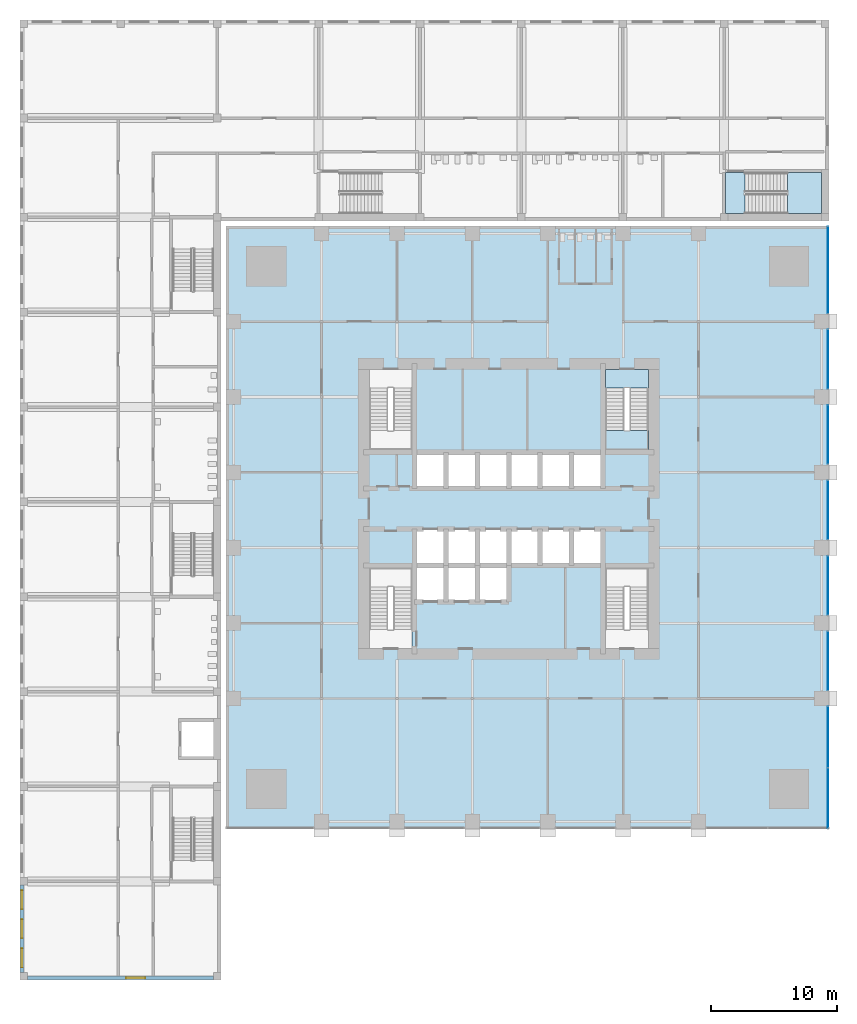
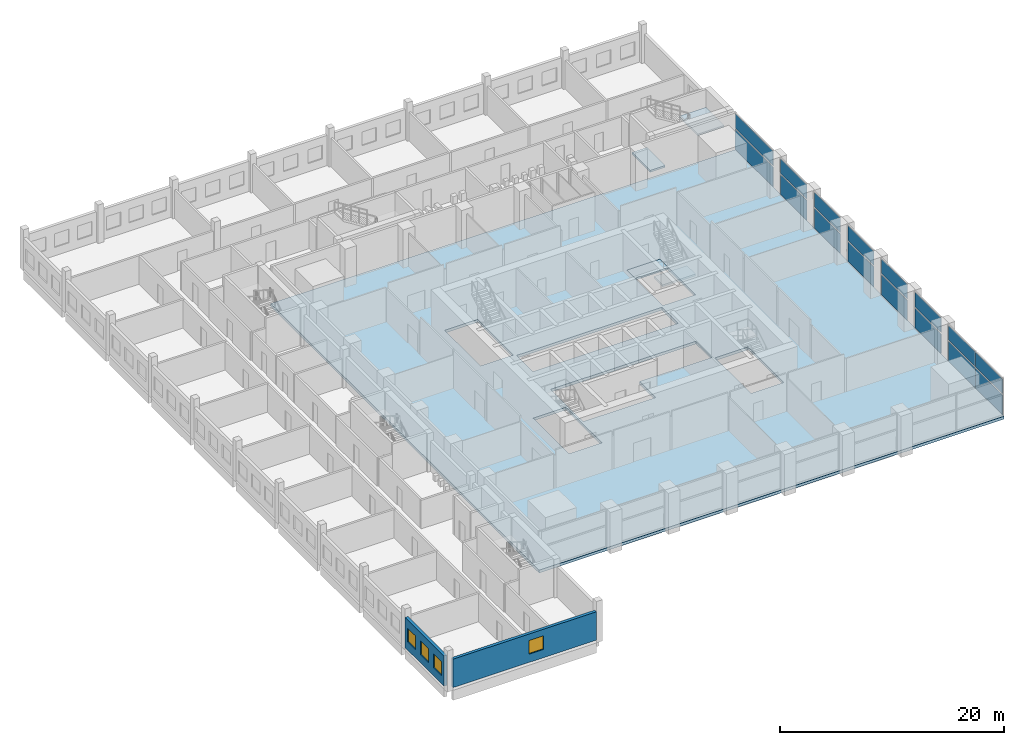
# One storey, part 9 of 25: 16 plates, 5 slabs, 4 windows, 2 walls, 4 openings, 9 elements without a shape of their own.
"""IFC4 building model written with IfcOpenShell, lengths in metres."""

from ifc_helpers import new_model, si_unit, direction, frame, frame_2d, origin, origin_2d, place, context, subcontext, project, spatial, polyline, rectangle, outline, extrude, material, layer, layer_set, type_object, element, fill, aggregate, save


model = new_model("IFC4")

# Units and contexts
model_context = context("Model", 3, precision=1e-05, world=origin(), true_north=direction((0.0, 1.0)))
body_context = subcontext(model_context, "Body", "Model", "MODEL_VIEW")
ifc_project = project(units=[si_unit("LENGTHUNIT", "METRE"), si_unit("AREAUNIT", "SQUARE_METRE"), si_unit("VOLUMEUNIT", "CUBIC_METRE"), si_unit("PLANEANGLEUNIT", "RADIAN"), si_unit("MASSUNIT", "GRAM", prefix="KILO")], contexts=[model_context])

# Site, building, storey
site_placement = place(None, origin())
site = spatial("IfcSite", under=ifc_project, at=site_placement, CompositionType="ELEMENT")
building_placement = place(site_placement, origin())
building = spatial("IfcBuilding", under=site, at=building_placement, Name="Amberfall Residences", CompositionType="ELEMENT")
storey_placement = place(building_placement, frame((0.0, 0.0, 14.5)))
storey = spatial("IfcBuildingStorey", under=building, at=storey_placement, Name="L03", CompositionType="ELEMENT", Elevation=14.5)

# Curtain wall, plates
ifc_material_1 = material(Name="Bronze anodised aluminium and glass", Category="aluminium")
curtain_wall_type = type_object("IfcCurtainWallType", Name="Curtain wall CW4 podium storefront", PredefinedType="USERDEFINED", material=ifc_material_1)
curtain_wall_1_placement = place(storey_placement, origin())
curtain_wall_1 = element("IfcCurtainWall", 1, at=curtain_wall_1_placement, inside=storey, type_object=curtain_wall_type, Name="Storefront L03 E1", ObjectType="UNITISED CURTAIN WALL", PredefinedType="USERDEFINED")
ifc_material_2 = material(Name="Clear toughened glazing", Category="glass")
ifc_layer_1 = layer(ifc_material_2, 0.028076171875)
ifc_layer_set_1 = layer_set([ifc_layer_1], Name="CW4 panel 28 glazing")
plate_type = type_object("IfcPlateType", Name="CW4 panel 28 glazing", PredefinedType="CURTAIN_PANEL", material=ifc_layer_set_1)
plate_1_placement = place(storey_placement, frame((99.89990234375, 22.467529296875, 0.14990234375), z_axis=(0.0, 0.0, 1.0), x_axis=(0.0, 1.0, 0.0)))
plate_1 = element("IfcPlate", 2, at=plate_1_placement, type_object=plate_type, Name="CW4 panel 1.1", PredefinedType="CURTAIN_PANEL", context=body_context, shape_type="SweptSolid", body=[
    extrude(rectangle(XDim=4.794921875, YDim=0.028076171875, at=origin_2d()), origin(), (0.0, 0.0, 1.0), 2.175048828125),
])
plate_2_placement = place(storey_placement, frame((99.89990234375, 22.467529296875, 2.47509765625), z_axis=(0.0, 0.0, 1.0), x_axis=(0.0, 1.0, 0.0)))
plate_2 = element("IfcPlate", 3, at=plate_2_placement, type_object=plate_type, Name="CW4 panel 1.2", PredefinedType="CURTAIN_PANEL", context=body_context, shape_type="SweptSolid", body=[
    extrude(rectangle(XDim=4.794921875, YDim=0.028076171875, at=origin_2d()), origin(), (0.0, 0.0, 1.0), 1.574951171875),
])
plate_3_placement = place(storey_placement, frame((99.89990234375, 27.33251953125, 0.14990234375), z_axis=(0.0, 0.0, 1.0), x_axis=(0.0, 1.0, 0.0)))
plate_3 = element("IfcPlate", 4, at=plate_3_placement, type_object=plate_type, Name="CW4 panel 2.1", PredefinedType="CURTAIN_PANEL", context=body_context, shape_type="SweptSolid", body=[
    extrude(rectangle(XDim=4.794921875, YDim=0.028076171875, at=origin_2d()), origin(), (0.0, 0.0, 1.0), 2.175048828125),
])
plate_4_placement = place(storey_placement, frame((99.89990234375, 27.33251953125, 2.47509765625), z_axis=(0.0, 0.0, 1.0), x_axis=(0.0, 1.0, 0.0)))
plate_4 = element("IfcPlate", 5, at=plate_4_placement, type_object=plate_type, Name="CW4 panel 2.2", PredefinedType="CURTAIN_PANEL", context=body_context, shape_type="SweptSolid", body=[
    extrude(rectangle(XDim=4.794921875, YDim=0.028076171875, at=origin_2d()), origin(), (0.0, 0.0, 1.0), 1.574951171875),
])
aggregate(curtain_wall_1, [plate_1, plate_2, plate_3, plate_4])

curtain_wall_2_placement = place(storey_placement, origin())
curtain_wall_2 = element("IfcCurtainWall", 6, at=curtain_wall_2_placement, inside=storey, type_object=curtain_wall_type, Name="Storefront L03 E2", ObjectType="UNITISED CURTAIN WALL", PredefinedType="USERDEFINED")
plate_5_placement = place(storey_placement, frame((99.89990234375, 33.39990234375, 0.14990234375), z_axis=(0.0, 0.0, 1.0), x_axis=(0.0, 1.0, 0.0)))
plate_5 = element("IfcPlate", 7, at=plate_5_placement, type_object=plate_type, Name="CW4 panel 1.1", PredefinedType="CURTAIN_PANEL", context=body_context, shape_type="SweptSolid", body=[
    extrude(rectangle(XDim=4.659912109375, YDim=0.028076171875, at=origin_2d()), origin(), (0.0, 0.0, 1.0), 2.175048828125),
])
plate_6_placement = place(storey_placement, frame((99.89990234375, 33.39990234375, 2.47509765625), z_axis=(0.0, 0.0, 1.0), x_axis=(0.0, 1.0, 0.0)))
plate_6 = element("IfcPlate", 8, at=plate_6_placement, type_object=plate_type, Name="CW4 panel 1.2", PredefinedType="CURTAIN_PANEL", context=body_context, shape_type="SweptSolid", body=[
    extrude(rectangle(XDim=4.659912109375, YDim=0.028076171875, at=origin_2d()), origin(), (0.0, 0.0, 1.0), 1.574951171875),
])
aggregate(curtain_wall_2, [plate_5, plate_6])

curtain_wall_3_placement = place(storey_placement, origin())
curtain_wall_3 = element("IfcCurtainWall", 9, at=curtain_wall_3_placement, inside=storey, type_object=curtain_wall_type, Name="Storefront L03 E3", ObjectType="UNITISED CURTAIN WALL", PredefinedType="USERDEFINED")
plate_7_placement = place(storey_placement, frame((99.89990234375, 39.39990234375, 0.14990234375), z_axis=(0.0, 0.0, 1.0), x_axis=(0.0, 1.0, 0.0)))
plate_7 = element("IfcPlate", 10, at=plate_7_placement, type_object=plate_type, Name="CW4 panel 1.1", PredefinedType="CURTAIN_PANEL", context=body_context, shape_type="SweptSolid", body=[
    extrude(rectangle(XDim=4.659912109375, YDim=0.028076171875, at=origin_2d()), origin(), (0.0, 0.0, 1.0), 2.175048828125),
])
plate_8_placement = place(storey_placement, frame((99.89990234375, 39.39990234375, 2.47509765625), z_axis=(0.0, 0.0, 1.0), x_axis=(0.0, 1.0, 0.0)))
plate_8 = element("IfcPlate", 11, at=plate_8_placement, type_object=plate_type, Name="CW4 panel 1.2", PredefinedType="CURTAIN_PANEL", context=body_context, shape_type="SweptSolid", body=[
    extrude(rectangle(XDim=4.659912109375, YDim=0.028076171875, at=origin_2d()), origin(), (0.0, 0.0, 1.0), 1.574951171875),
])
aggregate(curtain_wall_3, [plate_7, plate_8])

curtain_wall_4_placement = place(storey_placement, origin())
curtain_wall_4 = element("IfcCurtainWall", 12, at=curtain_wall_4_placement, inside=storey, type_object=curtain_wall_type, Name="Storefront L03 E4", ObjectType="UNITISED CURTAIN WALL", PredefinedType="USERDEFINED")
plate_9_placement = place(storey_placement, frame((99.89990234375, 45.39990234375, 0.14990234375), z_axis=(0.0, 0.0, 1.0), x_axis=(0.0, 1.0, 0.0)))
plate_9 = element("IfcPlate", 13, at=plate_9_placement, type_object=plate_type, Name="CW4 panel 1.1", PredefinedType="CURTAIN_PANEL", context=body_context, shape_type="SweptSolid", body=[
    extrude(rectangle(XDim=4.659912109375, YDim=0.028076171875, at=origin_2d()), origin(), (0.0, 0.0, 1.0), 2.175048828125),
])
plate_10_placement = place(storey_placement, frame((99.89990234375, 45.39990234375, 2.47509765625), z_axis=(0.0, 0.0, 1.0), x_axis=(0.0, 1.0, 0.0)))
plate_10 = element("IfcPlate", 14, at=plate_10_placement, type_object=plate_type, Name="CW4 panel 1.2", PredefinedType="CURTAIN_PANEL", context=body_context, shape_type="SweptSolid", body=[
    extrude(rectangle(XDim=4.659912109375, YDim=0.028076171875, at=origin_2d()), origin(), (0.0, 0.0, 1.0), 1.574951171875),
])
aggregate(curtain_wall_4, [plate_9, plate_10])

curtain_wall_5_placement = place(storey_placement, origin())
curtain_wall_5 = element("IfcCurtainWall", 15, at=curtain_wall_5_placement, inside=storey, type_object=curtain_wall_type, Name="Storefront L03 E5", ObjectType="UNITISED CURTAIN WALL", PredefinedType="USERDEFINED")
plate_11_placement = place(storey_placement, frame((99.89990234375, 51.39990234375, 0.14990234375), z_axis=(0.0, 0.0, 1.0), x_axis=(0.0, 1.0, 0.0)))
plate_11 = element("IfcPlate", 16, at=plate_11_placement, type_object=plate_type, Name="CW4 panel 1.1", PredefinedType="CURTAIN_PANEL", context=body_context, shape_type="SweptSolid", body=[
    extrude(rectangle(XDim=4.659912109375, YDim=0.028076171875, at=origin_2d()), origin(), (0.0, 0.0, 1.0), 2.175048828125),
])
plate_12_placement = place(storey_placement, frame((99.89990234375, 51.39990234375, 2.47509765625), z_axis=(0.0, 0.0, 1.0), x_axis=(0.0, 1.0, 0.0)))
plate_12 = element("IfcPlate", 17, at=plate_12_placement, type_object=plate_type, Name="CW4 panel 1.2", PredefinedType="CURTAIN_PANEL", context=body_context, shape_type="SweptSolid", body=[
    extrude(rectangle(XDim=4.659912109375, YDim=0.028076171875, at=origin_2d()), origin(), (0.0, 0.0, 1.0), 1.574951171875),
])
aggregate(curtain_wall_5, [plate_11, plate_12])

curtain_wall_6_placement = place(storey_placement, origin())
curtain_wall_6 = element("IfcCurtainWall", 18, at=curtain_wall_6_placement, inside=storey, type_object=curtain_wall_type, Name="Storefront L03 E6", ObjectType="UNITISED CURTAIN WALL", PredefinedType="USERDEFINED")
plate_13_placement = place(storey_placement, frame((99.89990234375, 57.39990234375, 0.14990234375), z_axis=(0.0, 0.0, 1.0), x_axis=(0.0, 1.0, 0.0)))
plate_13 = element("IfcPlate", 19, at=plate_13_placement, type_object=plate_type, Name="CW4 panel 1.1", PredefinedType="CURTAIN_PANEL", context=body_context, shape_type="SweptSolid", body=[
    extrude(rectangle(XDim=4.659912109375, YDim=0.028076171875, at=origin_2d()), origin(), (0.0, 0.0, 1.0), 2.175048828125),
])
plate_14_placement = place(storey_placement, frame((99.89990234375, 57.39990234375, 2.47509765625), z_axis=(0.0, 0.0, 1.0), x_axis=(0.0, 1.0, 0.0)))
plate_14 = element("IfcPlate", 20, at=plate_14_placement, type_object=plate_type, Name="CW4 panel 1.2", PredefinedType="CURTAIN_PANEL", context=body_context, shape_type="SweptSolid", body=[
    extrude(rectangle(XDim=4.659912109375, YDim=0.028076171875, at=origin_2d()), origin(), (0.0, 0.0, 1.0), 1.574951171875),
])
aggregate(curtain_wall_6, [plate_13, plate_14])

curtain_wall_7_placement = place(storey_placement, origin())
curtain_wall_7 = element("IfcCurtainWall", 21, at=curtain_wall_7_placement, inside=storey, type_object=curtain_wall_type, Name="Storefront L03 E7", ObjectType="UNITISED CURTAIN WALL", PredefinedType="USERDEFINED")
plate_15_placement = place(storey_placement, frame((99.89990234375, 64.5, 0.14990234375), z_axis=(0.0, 0.0, 1.0), x_axis=(0.0, 1.0, 0.0)))
plate_15 = element("IfcPlate", 22, at=plate_15_placement, type_object=plate_type, Name="CW4 panel 1.1", PredefinedType="CURTAIN_PANEL", context=body_context, shape_type="SweptSolid", body=[
    extrude(rectangle(XDim=6.860107421875, YDim=0.028076171875, at=origin_2d()), origin(), (0.0, 0.0, 1.0), 2.175048828125),
])
plate_16_placement = place(storey_placement, frame((99.89990234375, 64.5, 2.47509765625), z_axis=(0.0, 0.0, 1.0), x_axis=(0.0, 1.0, 0.0)))
plate_16 = element("IfcPlate", 23, at=plate_16_placement, type_object=plate_type, Name="CW4 panel 1.2", PredefinedType="CURTAIN_PANEL", context=body_context, shape_type="SweptSolid", body=[
    extrude(rectangle(XDim=6.860107421875, YDim=0.028076171875, at=origin_2d()), origin(), (0.0, 0.0, 1.0), 1.574951171875),
])
aggregate(curtain_wall_7, [plate_15, plate_16])

# Slab
ifc_material_3 = material(Name="Concrete C60", Category="concrete")
ifc_layer_2 = layer(ifc_material_3, 0.300048828125)
ifc_layer_set_2 = layer_set([ifc_layer_2], Name="Podium floor slab 300 C60")
slab_type_1 = type_object("IfcSlabType", Name="Podium floor slab 300 C60", PredefinedType="FLOOR", material=ifc_layer_set_2)
slab_1_placement = place(storey_placement, frame((0.0, 0.0, -0.300048828125)))
element("IfcSlab", 24, at=slab_1_placement, inside=storey, type_object=slab_type_1, Name="Floor slab S2 L03", PredefinedType="FLOOR", context=body_context, shape_type="SweptSolid", body=[
    extrude(outline(polyline([(52.0, 68.0), (100.0, 68.0), (100.0, 20.0), (52.0, 20.0), (52.0, 68.0)]), holes=[polyline([(85.60009765625, 34.39990234375), (85.60009765625, 40.800048828125), (82.199951171875, 40.800048828125), (82.199951171875, 34.39990234375), (85.60009765625, 34.39990234375)]), polyline([(82.199951171875, 50.199951171875), (85.60009765625, 50.199951171875), (85.60009765625, 56.60009765625), (82.199951171875, 56.60009765625), (82.199951171875, 50.199951171875)]), polyline([(69.5, 50.0), (67.0, 50.0), (67.0, 47.10009765625), (69.5, 47.10009765625), (72.0, 47.10009765625), (74.5, 47.10009765625), (77.0, 47.10009765625), (79.5, 47.10009765625), (82.0, 47.10009765625), (82.0, 50.0), (79.5, 50.0), (77.0, 50.0), (74.5, 50.0), (72.0, 50.0), (69.5, 50.0)]), polyline([(74.5, 41.0), (77.0, 41.0), (79.5, 41.0), (82.0, 41.0), (82.0, 43.89990234375), (79.5, 43.89990234375), (77.0, 43.89990234375), (74.5, 43.89990234375), (72.0, 43.89990234375), (69.5, 43.89990234375), (67.0, 43.89990234375), (67.0, 41.0), (67.0, 38.10009765625), (69.5, 38.10009765625), (72.0, 38.10009765625), (74.5, 38.10009765625), (74.5, 41.0)]), polyline([(66.800048828125, 34.39990234375), (66.800048828125, 40.800048828125), (63.39990234375, 40.800048828125), (63.39990234375, 34.39990234375), (66.800048828125, 34.39990234375)]), polyline([(66.800048828125, 50.199951171875), (66.800048828125, 56.60009765625), (63.39990234375, 56.60009765625), (63.39990234375, 50.199951171875), (66.800048828125, 50.199951171875)])]), origin(), (0.0, 0.0, 1.0), 0.300048828125),
])

# Stair, slabs
ifc_material_4 = material(Name="Concrete C40", Category="concrete")
stair_type_1 = type_object("IfcStairType", Name="School stair", PredefinedType="HALF_TURN_STAIR", material=ifc_material_4)
stair_1_placement = place(storey_placement, origin())
stair_1 = element("IfcStair", 25, at=stair_1_placement, inside=storey, type_object=stair_type_1, Name="L03 Stair SS5", PredefinedType="HALF_TURN_STAIR")
ifc_layer_3 = layer(ifc_material_4, 0.199951171875)
ifc_layer_set_3 = layer_set([ifc_layer_3], Name="School stair landing")
slab_type_2 = type_object("IfcSlabType", Name="School stair landing", PredefinedType="LANDING", material=ifc_layer_set_3)
slab_2_placement = place(storey_placement, frame((0.0, 0.0, 2.050048828125)))
slab_2 = element("IfcSlab", 26, at=slab_2_placement, type_object=slab_type_2, Name="SS5 landing 1", PredefinedType="LANDING", context=body_context, shape_type="SweptSolid", body=[
    extrude(outline(polyline([(96.66796875, 69.0), (99.39990234375, 69.0), (99.39990234375, 72.25), (96.66796875, 72.25), (96.66796875, 69.0)])), origin(), (0.0, 0.0, 1.0), 0.199951171875),
])
slab_3_placement = place(storey_placement, frame((0.0, 0.0, -0.199951171875)))
slab_3 = element("IfcSlab", 27, at=slab_3_placement, type_object=slab_type_2, Name="SS5 landing 2", PredefinedType="LANDING", context=body_context, shape_type="SweptSolid", body=[
    extrude(outline(polyline([(91.758056640625, 69.0), (93.30810546875, 69.0), (93.30810546875, 72.25), (91.758056640625, 72.25), (91.758056640625, 69.0)])), origin(), (0.0, 0.0, 1.0), 0.199951171875),
])
aggregate(stair_1, [slab_2, slab_3])

stair_type_2 = type_object("IfcStairType", Name="Exit stair 26 risers 173.1 mm", PredefinedType="HALF_TURN_STAIR", material=ifc_material_4)
stair_2_placement = place(storey_placement, origin())
stair_2 = element("IfcStair", 28, at=stair_2_placement, inside=storey, type_object=stair_type_2, Name="L03 Exit stair 3", PredefinedType="HALF_TURN_STAIR")
ifc_layer_4 = layer(ifc_material_4, 0.199951171875)
ifc_layer_set_4 = layer_set([ifc_layer_4], Name="Stair landing 200")
slab_type_3 = type_object("IfcSlabType", Name="Stair landing 200", PredefinedType="LANDING", material=ifc_layer_set_4)
slab_4_placement = place(storey_placement, frame((0.0, 0.0, 2.050048828125)))
slab_4 = element("IfcSlab", 29, at=slab_4_placement, type_object=slab_type_3, Name="ST2 landing 1", PredefinedType="LANDING", context=body_context, shape_type="SweptSolid", body=[
    extrude(outline(polyline([(82.199951171875, 51.739990234375), (82.199951171875, 50.199951171875), (85.60009765625, 50.199951171875), (85.60009765625, 51.739990234375), (82.199951171875, 51.739990234375)])), origin(), (0.0, 0.0, 1.0), 0.199951171875),
])
slab_5_placement = place(storey_placement, frame((0.0, 0.0, -0.199951171875)))
slab_5 = element("IfcSlab", 30, at=slab_5_placement, type_object=slab_type_3, Name="ST2 landing 2", PredefinedType="LANDING", context=body_context, shape_type="SweptSolid", body=[
    extrude(outline(polyline([(82.199951171875, 56.60009765625), (82.199951171875, 55.10009765625), (85.60009765625, 55.10009765625), (85.60009765625, 56.60009765625), (82.199951171875, 56.60009765625)])), origin(), (0.0, 0.0, 1.0), 0.199951171875),
])
aggregate(stair_2, [slab_4, slab_5])

# Wall, openings, windows
ifc_material_5 = material(Name="Aerated block wall")
ifc_layer_5 = layer(ifc_material_5, 0.300048828125)
ifc_layer_set_5 = layer_set([ifc_layer_5], Name="School external wall 300")
wall_type = type_object("IfcWallType", Name="School external wall 300", PredefinedType="SOLIDWALL", material=ifc_layer_set_5)
wall_1_placement = place(storey_placement, frame((35.75, 8.60009765625, 0.0), z_axis=(0.0, 0.0, 1.0), x_axis=(0.0, 1.0, 0.0)))
wall_1 = element("IfcWall", 31, at=wall_1_placement, inside=storey, type_object=wall_type, Name="School external wall L03 EW0", PredefinedType="SOLIDWALL", context=body_context, shape_type="SweptSolid", body=[
    extrude(rectangle(XDim=6.949951171875, YDim=0.300048828125, at=frame_2d((3.47509765625, 0.0))), origin(), (0.0, 0.0, 1.0), 3.300048828125),
])
opening_1_placement = place(wall_1_placement, frame((0.408203125, 0.0, 0.89990234375)))
opening_1 = element("IfcOpeningElement", 32, at=opening_1_placement, cuts=wall_1, Name="Opening SWN1", PredefinedType="OPENING", context=body_context, shape_type="SweptSolid", body=[
    extrude(rectangle(XDim=1.5, YDim=1.5, at=frame_2d((0.75, 0.75))), frame((0.0, 0.159912109375, 0.0), z_axis=(0.0, -1.0, 0.0), x_axis=(1.0, 0.0, 0.0)), (0.0, 0.0, 1.0), 0.320068359375),
])
opening_2_placement = place(wall_1_placement, frame((2.72509765625, 0.0, 0.89990234375)))
opening_2 = element("IfcOpeningElement", 33, at=opening_2_placement, cuts=wall_1, Name="Opening SWN1", PredefinedType="OPENING", context=body_context, shape_type="SweptSolid", body=[
    extrude(rectangle(XDim=1.5, YDim=1.5, at=frame_2d((0.75, 0.75))), frame((0.0, 0.159912109375, 0.0), z_axis=(0.0, -1.0, 0.0), x_axis=(1.0, 0.0, 0.0)), (0.0, 0.0, 1.0), 0.320068359375),
])
opening_3_placement = place(wall_1_placement, frame((5.041748046875, 0.0, 0.89990234375)))
opening_3 = element("IfcOpeningElement", 34, at=opening_3_placement, cuts=wall_1, Name="Opening SWN1", PredefinedType="OPENING", context=body_context, shape_type="SweptSolid", body=[
    extrude(rectangle(XDim=1.5, YDim=1.5, at=frame_2d((0.75, 0.75))), frame((0.0, 0.159912109375, 0.0), z_axis=(0.0, -1.0, 0.0), x_axis=(1.0, 0.0, 0.0)), (0.0, 0.0, 1.0), 0.320068359375),
])
ifc_material_6 = material(Name="Aluminium window", Category="aluminium")
window_type = type_object("IfcWindowType", Name="School window 1500 x 1500", PartitioningType="DOUBLE_PANEL_HORIZONTAL", PredefinedType="WINDOW", material=ifc_material_6)
window_1_placement = place(opening_1_placement, origin())
window_1 = element("IfcWindow", 35, at=window_1_placement, inside=storey, type_object=window_type, Name="School window L03 EW0-1", OverallHeight=1.5, OverallWidth=1.5, PartitioningType="DOUBLE_PANEL_HORIZONTAL", PredefinedType="WINDOW", context=body_context, shape_type="SweptSolid", body=[
    extrude(rectangle(XDim=1.5, YDim=1.5, at=frame_2d((0.75, 0.75))), frame((0.0, 0.030029296875, 0.0), z_axis=(0.0, -1.0, 0.0), x_axis=(1.0, 0.0, 0.0)), (0.0, 0.0, 1.0), 0.06005859375),
])
fill(opening_1, window_1)
window_2_placement = place(opening_2_placement, origin())
window_2 = element("IfcWindow", 36, at=window_2_placement, inside=storey, type_object=window_type, Name="School window L03 EW0-2", OverallHeight=1.5, OverallWidth=1.5, PartitioningType="DOUBLE_PANEL_HORIZONTAL", PredefinedType="WINDOW", context=body_context, shape_type="SweptSolid", body=[
    extrude(rectangle(XDim=1.5, YDim=1.5, at=frame_2d((0.75, 0.75))), frame((0.0, 0.030029296875, 0.0), z_axis=(0.0, -1.0, 0.0), x_axis=(1.0, 0.0, 0.0)), (0.0, 0.0, 1.0), 0.06005859375),
])
fill(opening_2, window_2)
window_3_placement = place(opening_3_placement, origin())
window_3 = element("IfcWindow", 37, at=window_3_placement, inside=storey, type_object=window_type, Name="School window L03 EW0-3", OverallHeight=1.5, OverallWidth=1.5, PartitioningType="DOUBLE_PANEL_HORIZONTAL", PredefinedType="WINDOW", context=body_context, shape_type="SweptSolid", body=[
    extrude(rectangle(XDim=1.5, YDim=1.5, at=frame_2d((0.75, 0.75))), frame((0.0, 0.030029296875, 0.0), z_axis=(0.0, -1.0, 0.0), x_axis=(1.0, 0.0, 0.0)), (0.0, 0.0, 1.0), 0.06005859375),
])
fill(opening_3, window_3)

# Wall, opening, window
wall_2_placement = place(storey_placement, frame((36.199951171875, 8.14990234375, 0.0), z_axis=(0.0, 0.0, 1.0), x_axis=(1.0, 0.0, 0.0)))
wall_2 = element("IfcWall", 38, at=wall_2_placement, inside=storey, type_object=wall_type, Name="School external wall L03 ES", PredefinedType="SOLIDWALL", context=body_context, shape_type="SweptSolid", body=[
    extrude(rectangle(XDim=14.800048828125, YDim=0.300048828125, at=frame_2d((7.39990234375, 0.0))), origin(), (0.0, 0.0, 1.0), 3.10009765625),
])
opening_4_placement = place(wall_2_placement, frame((7.85009765625, 0.0, 0.89990234375)))
opening_4 = element("IfcOpeningElement", 39, at=opening_4_placement, cuts=wall_2, Name="Opening SWN1", PredefinedType="OPENING", context=body_context, shape_type="SweptSolid", body=[
    extrude(rectangle(XDim=1.5, YDim=1.5, at=frame_2d((0.75, 0.75))), frame((0.0, 0.159912109375, 0.0), z_axis=(0.0, -1.0, 0.0), x_axis=(1.0, 0.0, 0.0)), (0.0, 0.0, 1.0), 0.320068359375),
])
window_4_placement = place(opening_4_placement, origin())
window_4 = element("IfcWindow", 40, at=window_4_placement, inside=storey, type_object=window_type, Name="School window L03 ES-1", OverallHeight=1.5, OverallWidth=1.5, PartitioningType="DOUBLE_PANEL_HORIZONTAL", PredefinedType="WINDOW", context=body_context, shape_type="SweptSolid", body=[
    extrude(rectangle(XDim=1.5, YDim=1.5, at=frame_2d((0.75, 0.75))), frame((0.0, 0.030029296875, 0.0), z_axis=(0.0, -1.0, 0.0), x_axis=(1.0, 0.0, 0.0)), (0.0, 0.0, 1.0), 0.06005859375),
])
fill(opening_4, window_4)

save(model, "model.ifc")
